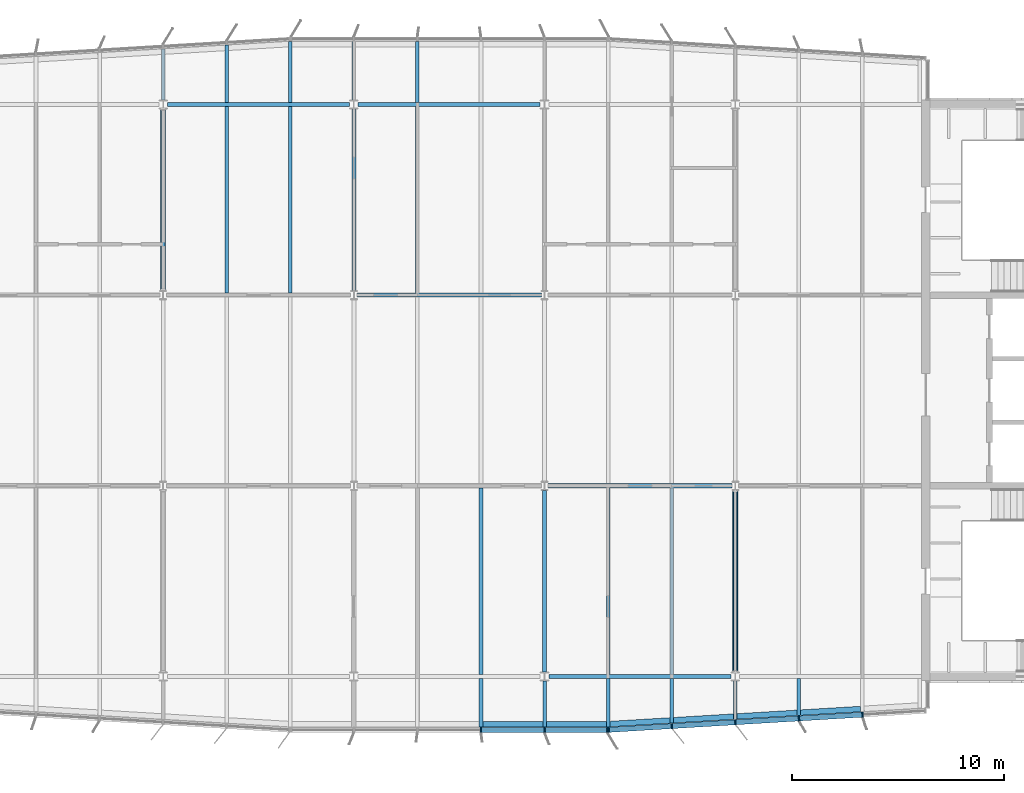
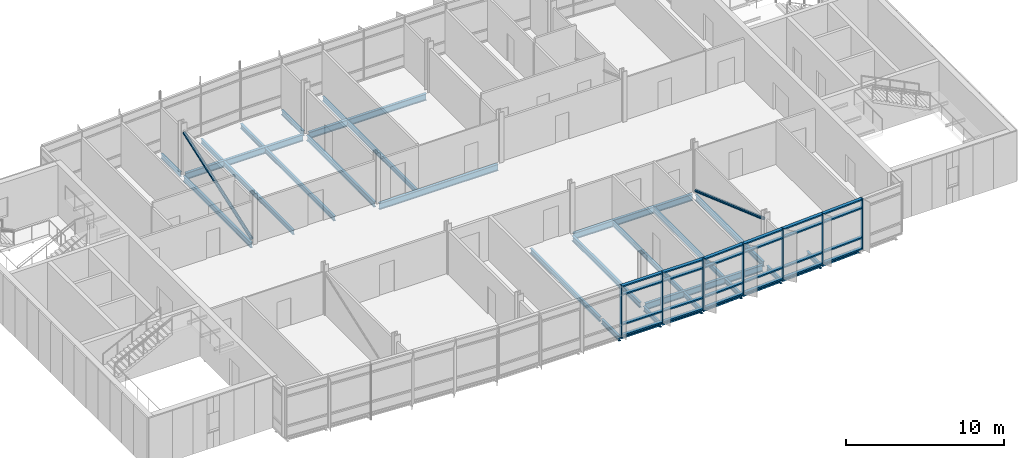
# One storey, part 5 of 18: 34 members, 32 beams, 2 elements without a shape of their own.
"""IFC4 building model written with IfcOpenShell, lengths in metres."""

import ifcopenshell
import ifcopenshell.guid

model = None  # the IFC model being written
_history = None  # IfcOwnerHistory: only IFC2X3 demands one
_inside = {}  # id of a spatial element -> (the spatial element, [elements in it])
_under = {}  # id of a project, library or spatial element -> (it, [spatial elements below it])
_declared = {}  # id of a project -> (the project, [libraries it declares])
_typed = {}  # id of a type object -> (the type object, [elements of that type])
_made_of = {}  # id of a material, layer set ... -> (it, [elements and type objects made of it])


def new_model(schema):
    """Start an empty IFC model of exactly this schema.

    Asked for "IFC4X3", IfcOpenShell would pick the latest addendum, in which some entities
    have other attributes; the version numbers below select the first issue.
    IFC2X3 requires an IfcOwnerHistory on every rooted entity: one is made here for all.
    """
    global model, _history
    if schema == "IFC4X3":
        model = ifcopenshell.file(schema_version=(4, 3, 0, 0))
    else:
        model = ifcopenshell.file(schema=schema)
    _inside.clear()
    _under.clear()
    _declared.clear()
    _typed.clear()
    _made_of.clear()
    _history = None
    if model.schema == "IFC2X3":
        org = make("IfcOrganization", Name="unknown")
        user = make(
            "IfcPersonAndOrganization",
            ThePerson=make("IfcPerson", FamilyName="unknown"),
            TheOrganization=org,
        )
        app = make(
            "IfcApplication",
            ApplicationDeveloper=org,
            Version="unknown",
            ApplicationFullName="unknown",
            ApplicationIdentifier="unknown",
        )
        _history = make(
            "IfcOwnerHistory",
            OwningUser=user,
            OwningApplication=app,
            ChangeAction="ADDED",
            CreationDate=0,
        )
    return model


def make(cls, **values):
    """One entity of the class cls with the attributes given. An attribute that is None is left unset."""
    return model.create_entity(
        cls, **{name: value for name, value in values.items() if value is not None}
    )


def rooted(cls, **values):
    """An entity with a GlobalId (a new one), such as an element, a storey or a relation."""
    return make(cls, GlobalId=ifcopenshell.guid.new(), OwnerHistory=_history, **values)


def si_unit(unit_type, name, prefix=None):
    """IfcSIUnit, for example si_unit("LENGTHUNIT", "METRE", prefix="MILLI")."""
    return make("IfcSIUnit", UnitType=unit_type, Prefix=prefix, Name=name)


def assignment(units):
    """IfcUnitAssignment: the units of a project."""
    return None if units is None else make("IfcUnitAssignment", Units=units)


def point(xyz):
    """IfcCartesianPoint."""
    return None if xyz is None else make("IfcCartesianPoint", Coordinates=xyz)


def direction(xyz):
    """IfcDirection."""
    return None if xyz is None else make("IfcDirection", DirectionRatios=xyz)


def frame(location, z_axis=None, x_axis=None):
    """IfcAxis2Placement3D, a coordinate frame: its origin and axes. An axis left out is left unset."""
    return make(
        "IfcAxis2Placement3D",
        Location=point(location),
        Axis=direction(z_axis),
        RefDirection=direction(x_axis),
    )


def frame_2d(location, x_axis=None):
    """IfcAxis2Placement2D, a coordinate frame in the plane: its origin and x axis."""
    return make(
        "IfcAxis2Placement2D", Location=point(location), RefDirection=direction(x_axis)
    )


def origin():
    """The frame at (0, 0, 0) with its axes left unset."""
    return frame((0.0, 0.0, 0.0))


def origin_2d():
    """The frame at (0, 0) in the plane with its x axis left unset."""
    return frame_2d((0.0, 0.0))


def place(relative_to, where):
    """IfcLocalPlacement: puts the frame where relative to a parent placement (None: the world)."""
    return make(
        "IfcLocalPlacement", PlacementRelTo=relative_to, RelativePlacement=where
    )


def context(
    kind, dimensions, precision=None, world=None, true_north=None, identifier=None
):
    """IfcGeometricRepresentationContext, for example the 3D "Model" context."""
    return make(
        "IfcGeometricRepresentationContext",
        ContextIdentifier=identifier,
        ContextType=kind,
        CoordinateSpaceDimension=dimensions,
        Precision=precision,
        WorldCoordinateSystem=world,
        TrueNorth=true_north,
    )


def subcontext(parent, identifier, kind, view, scale=None):
    """IfcGeometricRepresentationSubContext, for example "Body" below "Model"."""
    return make(
        "IfcGeometricRepresentationSubContext",
        ContextIdentifier=identifier,
        ContextType=kind,
        ParentContext=parent,
        TargetScale=scale,
        TargetView=view,
    )


def project(units=None, contexts=None):
    """IfcProject with its units and contexts."""
    return rooted(
        "IfcProject",
        Name="project",
        RepresentationContexts=contexts,
        UnitsInContext=assignment(units),
    )


def spatial(cls, under=None, at=None, **own):
    """A site, building, storey or space (cls), placed at a placement, below another one or the project."""
    s = rooted(cls, ObjectPlacement=at, **own)
    if under is not None:
        _under.setdefault(under.id(), (under, []))[1].append(s)
    return s


def profile(cls, at=None, kind="AREA", **sizes):
    """A parametric profile (cls). Its sizes go by their IFC names, for example OverallWidth=200.0."""
    return make(cls, ProfileType=kind, Position=at, **sizes)


def rectangle(**sizes):
    """IfcRectangleProfileDef."""
    return profile("IfcRectangleProfileDef", **sizes)


def hollow_circle(**sizes):
    """IfcCircleHollowProfileDef."""
    return profile("IfcCircleHollowProfileDef", **sizes)


def i_section(**sizes):
    """IfcIShapeProfileDef."""
    return profile("IfcIShapeProfileDef", **sizes)


def extrude(swept, where, along, depth):
    """IfcExtrudedAreaSolid: the profile swept, set in the frame where, extruded along a direction by depth."""
    return make(
        "IfcExtrudedAreaSolid",
        SweptArea=swept,
        Position=where,
        ExtrudedDirection=direction(along),
        Depth=depth,
    )


def shape(context_of_items, identifier, shape_type, items):
    """IfcShapeRepresentation: the items that make up one representation, for example the "Body"."""
    return make(
        "IfcShapeRepresentation",
        ContextOfItems=context_of_items,
        RepresentationIdentifier=identifier,
        RepresentationType=shape_type,
        Items=items,
    )


def material(Name=None, Category=None):
    """IfcMaterial."""
    return make("IfcMaterial", Name=Name, Category=Category)


def material_profile(
    of_material, cross_section, Name=None, Category=None, Priority=None
):
    """IfcMaterialProfile: a cross section and its material."""
    return make(
        "IfcMaterialProfile",
        Name=Name,
        Material=of_material,
        Profile=cross_section,
        Priority=Priority,
        Category=Category,
    )


def profile_set(profiles, Name=None, composite=None):
    """IfcMaterialProfileSet."""
    return make(
        "IfcMaterialProfileSet",
        Name=Name,
        MaterialProfiles=profiles,
        CompositeProfile=composite,
    )


def made_of(thing, what):
    """Note that an element or type object is made of a material, layer set ...; save() writes the relation."""
    if what is not None:
        _made_of.setdefault(what.id(), (what, []))[1].append(thing)
    return thing


def type_object(cls, material=None, **own):
    """A type object (cls), such as IfcWallType, which elements share."""
    return made_of(rooted(cls, **own), material)


def element(
    cls,
    number,
    at=None,
    inside=None,
    cuts=None,
    type_object=None,
    material=None,
    context=None,
    identifier="Body",
    shape_type=None,
    held_by="IfcProductDefinitionShape",
    body=None,
    shapes=None,
    **own,
):
    """One element of the class cls, such as IfcWall. Its Tag is "e" and its number.

    at: its placement. inside: the storey or other place that contains it. cuts: it is an
    opening in that element (IfcRelVoidsElement). A single representation is given by context,
    identifier, shape_type and body (its items); several are given by shapes. held_by: the class
    of the entity that holds the representations. save() writes the other relations.
    """
    e = rooted(cls, Tag="e%d" % number, ObjectPlacement=at, **own)
    if body is not None:
        shapes = [shape(context, identifier, shape_type, body)]
    if shapes is not None:
        e.Representation = make(held_by, Representations=shapes)
    if inside is not None:
        _inside.setdefault(inside.id(), (inside, []))[1].append(e)
    if cuts is not None:
        rooted(
            "IfcRelVoidsElement", RelatingBuildingElement=cuts, RelatedOpeningElement=e
        )
    if type_object is not None:
        _typed.setdefault(type_object.id(), (type_object, []))[1].append(e)
    return made_of(e, material)


def aggregate(whole, parts):
    """IfcRelAggregates: a whole, such as a stair, and the parts it consists of."""
    return rooted("IfcRelAggregates", RelatingObject=whole, RelatedObjects=parts)


def save(model, path):
    """Write the relations noted so far, then the file.

    IfcRelAggregates (storeys below a building ...), IfcRelContainedInSpatialStructure (elements
    in a storey), IfcRelDefinesByType, IfcRelAssociatesMaterial and IfcRelDeclares: one each for
    every whole, place, type object, material and project.
    """
    for whole, parts in _under.values():
        aggregate(whole, parts)
    for where, things in _inside.values():
        rooted(
            "IfcRelContainedInSpatialStructure",
            RelatedElements=things,
            RelatingStructure=where,
        )
    for kind, things in _typed.values():
        rooted("IfcRelDefinesByType", RelatedObjects=things, RelatingType=kind)
    for what, things in _made_of.values():
        rooted("IfcRelAssociatesMaterial", RelatedObjects=things, RelatingMaterial=what)
    for by, libraries in _declared.values():
        rooted("IfcRelDeclares", RelatingContext=by, RelatedDefinitions=libraries)
    model.write(path)


model = new_model("IFC4")

# Units and contexts
model_context = context("Model", 3, precision=1e-05, world=origin(), true_north=direction((0.0, 1.0)))
body_context = subcontext(model_context, "Body", "Model", "MODEL_VIEW")
ifc_project = project(units=[si_unit("LENGTHUNIT", "METRE"), si_unit("AREAUNIT", "SQUARE_METRE"), si_unit("VOLUMEUNIT", "CUBIC_METRE"), si_unit("PLANEANGLEUNIT", "RADIAN"), si_unit("MASSUNIT", "GRAM", prefix="KILO")], contexts=[model_context])

# Site, building, storey
site_placement = place(None, origin())
site = spatial("IfcSite", under=ifc_project, at=site_placement, CompositionType="ELEMENT")
building_placement = place(site_placement, origin())
building = spatial("IfcBuilding", under=site, at=building_placement, Name="Azimuth Sports and Learning Centre", CompositionType="ELEMENT")
storey_placement = place(building_placement, frame((0.0, 0.0, 63.60009765625)))
storey = spatial("IfcBuildingStorey", under=building, at=storey_placement, Name="L14", CompositionType="ELEMENT", Elevation=63.60009765625)

# Beams
ifc_material_1 = material(Name="Steel S355", Category="steel")
ifc_material_profile_1 = material_profile(ifc_material_1, i_section(OverallWidth=0.179931640625, OverallDepth=0.39990234375, WebThickness=0.008544921875, FlangeThickness=0.013427734375, FilletRadius=0.02099609375, at=origin_2d()), Name="IPE 400")
ifc_profile_set_1 = profile_set([ifc_material_profile_1], Name="Steel S355")
beam_type_1 = type_object("IfcBeamType", Name="Beam IPE 400", PredefinedType="BEAM", material=ifc_profile_set_1)
for number, where, z_axis, x_axis, name in (
    (1, (72.0, 108.216064453125, -0.330078125), (0.0, 1.0, 0.0), (-1.0, 0.0, 0.0), "Tower tie"),
    (2, (81.0, 108.216064453125, -0.330078125), (0.0, 1.0, 0.0), (-1.0, 0.0, 0.0), "Tower tie"),
    (3, (90.0, 90.217529296875, -0.330078125), (0.0, 1.0, 0.0), (-1.0, 0.0, 0.0), "Tower tie"),
    (4, (99.0, 90.217529296875, -0.330078125), (0.0, 1.0, 0.0), (-1.0, 0.0, 0.0), "Tower tie"),
):
    element("IfcBeam", number, at=place(storey_placement, frame(where, z_axis=z_axis, x_axis=x_axis)), inside=storey, type_object=beam_type_1, Name=name, PredefinedType="BEAM", context=body_context, shape_type="SweptSolid", body=[
        extrude(i_section(OverallWidth=0.179931640625, OverallDepth=0.39990234375, WebThickness=0.008544921875, FlangeThickness=0.013427734375, FilletRadius=0.02099609375, at=origin_2d()), origin(), (0.0, 0.0, 1.0), 8.56640625),
    ])
ifc_material_2 = material(Name="Steel S355", Category="steel")
ifc_material_profile_2 = material_profile(ifc_material_2, i_section(OverallWidth=0.199951171875, OverallDepth=0.5, WebThickness=0.01025390625, FlangeThickness=0.01611328125, FilletRadius=0.02099609375, at=origin_2d()), Name="IPE 500")
ifc_profile_set_2 = profile_set([ifc_material_profile_2], Name="Steel S355")
beam_type_2 = type_object("IfcBeamType", Name="Beam IPE 500", PredefinedType="BEAM", material=ifc_profile_set_2)
beam_1_placement = place(storey_placement, frame((90.2060546875, 90.0, -0.380126953125), z_axis=(1.0, 0.0, 0.0), x_axis=(0.0, 1.0, 0.0)))
element("IfcBeam", 5, at=beam_1_placement, inside=storey, type_object=beam_type_2, Name="Tower girder L14", PredefinedType="BEAM", context=body_context, shape_type="SweptSolid", body=[
    extrude(i_section(OverallWidth=0.199951171875, OverallDepth=0.5, WebThickness=0.01025390625, FlangeThickness=0.01611328125, FilletRadius=0.02099609375, at=origin_2d()), origin(), (0.0, 0.0, 1.0), 8.587890625),
])
for number, where, z_axis, x_axis, name in (
    (6, (90.153564453125, 99.0, -0.380126953125), (1.0, 0.0, 0.0), (0.0, 1.0, 0.0), "Tower girder L14"),
    (7, (81.153564453125, 108.0, -0.380126953125), (1.0, 0.0, 0.0), (0.0, 1.0, 0.0), "Tower girder L14"),
):
    element("IfcBeam", number, at=place(storey_placement, frame(where, z_axis=z_axis, x_axis=x_axis)), inside=storey, type_object=beam_type_2, Name=name, PredefinedType="BEAM", context=body_context, shape_type="SweptSolid", body=[
        extrude(i_section(OverallWidth=0.199951171875, OverallDepth=0.5, WebThickness=0.01025390625, FlangeThickness=0.01611328125, FilletRadius=0.02099609375, at=origin_2d()), origin(), (0.0, 0.0, 1.0), 8.69287109375),
    ])
for number, where, z_axis, x_axis, name in (
    (8, (72.2060546875, 117.0, -0.380126953125), (1.0, 0.0, 0.0), (0.0, 1.0, 0.0), "Tower girder L14"),
    (9, (81.2060546875, 117.0, -0.380126953125), (1.0, 0.0, 0.0), (0.0, 1.0, 0.0), "Tower girder L14"),
):
    element("IfcBeam", number, at=place(storey_placement, frame(where, z_axis=z_axis, x_axis=x_axis)), inside=storey, type_object=beam_type_2, Name=name, PredefinedType="BEAM", context=body_context, shape_type="SweptSolid", body=[
        extrude(i_section(OverallWidth=0.199951171875, OverallDepth=0.5, WebThickness=0.01025390625, FlangeThickness=0.01611328125, FilletRadius=0.02099609375, at=origin_2d()), origin(), (0.0, 0.0, 1.0), 8.587890625),
    ])

# Members
ifc_material_3 = material(Name="Steel S355", Category="steel")
ifc_material_profile_3 = material_profile(ifc_material_3, hollow_circle(Radius=0.122314453125, WallThickness=0.012451171875, at=origin_2d()), Name="CHS 244.5x12.5")
ifc_profile_set_3 = profile_set([ifc_material_profile_3], Name="Steel S355")
member_type_1 = type_object("IfcMemberType", Name="Brace CHS 244.5x12.5", PredefinedType="BRACE", material=ifc_profile_set_3)
for number, where, z_axis, x_axis, name in (
    (10, (72.0, 108.237060546875, 0.169677734375), (0.0, 0.942228129068, 0.33497186866), (-1.0, 0.0, 0.0), "Tower brace 9 L14"),
    (11, (99.0, 90.238525390625, 3.2001953125), (0.0, 0.942228129068, -0.33497186866), (-1.0, 0.0, 0.0), "Tower brace 12 L14"),
):
    element("IfcMember", number, at=place(storey_placement, frame(where, z_axis=z_axis, x_axis=x_axis)), inside=storey, type_object=member_type_1, Name=name, PredefinedType="BRACE", context=body_context, shape_type="SweptSolid", body=[
        extrude(hollow_circle(Radius=0.122314453125, WallThickness=0.012451171875, at=origin_2d()), origin(), (0.0, 0.0, 1.0), 9.047119140625),
    ])

# Beams
ifc_material_4 = material(Name="Steel S355", Category="steel")
ifc_material_profile_4 = material_profile(ifc_material_4, i_section(OverallWidth=0.169921875, OverallDepth=0.360107421875, WebThickness=0.008056640625, FlangeThickness=0.0126953125, FilletRadius=0.01806640625, at=origin_2d()), Name="IPE 360")
ifc_profile_set_4 = profile_set([ifc_material_profile_4], Name="Steel S355")
beam_type_3 = type_object("IfcBeamType", Name="Cantilever stub IPE 360", PredefinedType="JOIST", material=ifc_profile_set_4)
beam_2_placement = place(storey_placement, frame((87.0, 89.89990234375, -0.31005859375), z_axis=(0.0, -1.0, 0.0), x_axis=(1.0, 0.0, 0.0)))
element("IfcBeam", 12, at=beam_2_placement, inside=storey, type_object=beam_type_3, Name="Tower cantilever stub", PredefinedType="JOIST", context=body_context, shape_type="SweptSolid", body=[
    extrude(i_section(OverallWidth=0.169921875, OverallDepth=0.360107421875, WebThickness=0.008056640625, FlangeThickness=0.0126953125, FilletRadius=0.01806640625, at=origin_2d()), origin(), (0.0, 0.0, 1.0), 2.27978515625),
])
beam_3_placement = place(storey_placement, frame((90.0, 89.782470703125, -0.31005859375), z_axis=(0.0, -1.0, 0.0), x_axis=(1.0, 0.0, 0.0)))
element("IfcBeam", 13, at=beam_3_placement, inside=storey, type_object=beam_type_3, Name="Tower cantilever stub", PredefinedType="JOIST", context=body_context, shape_type="SweptSolid", body=[
    extrude(i_section(OverallWidth=0.169921875, OverallDepth=0.360107421875, WebThickness=0.008056640625, FlangeThickness=0.0126953125, FilletRadius=0.01806640625, at=origin_2d()), origin(), (0.0, 0.0, 1.0), 2.162353515625),
])
beam_4_placement = place(storey_placement, frame((93.0, 89.89990234375, -0.31005859375), z_axis=(0.0, -1.0, 0.0), x_axis=(1.0, 0.0, 0.0)))
element("IfcBeam", 14, at=beam_4_placement, inside=storey, type_object=beam_type_3, Name="Tower cantilever stub", PredefinedType="JOIST", context=body_context, shape_type="SweptSolid", body=[
    extrude(i_section(OverallWidth=0.169921875, OverallDepth=0.360107421875, WebThickness=0.008056640625, FlangeThickness=0.0126953125, FilletRadius=0.01806640625, at=origin_2d()), origin(), (0.0, 0.0, 1.0), 2.27978515625),
])
beam_5_placement = place(storey_placement, frame((96.0, 89.89990234375, -0.31005859375), z_axis=(0.0, -1.0, 0.0), x_axis=(1.0, 0.0, 0.0)))
element("IfcBeam", 15, at=beam_5_placement, inside=storey, type_object=beam_type_3, Name="Tower cantilever stub", PredefinedType="JOIST", context=body_context, shape_type="SweptSolid", body=[
    extrude(i_section(OverallWidth=0.169921875, OverallDepth=0.360107421875, WebThickness=0.008056640625, FlangeThickness=0.0126953125, FilletRadius=0.01806640625, at=origin_2d()), origin(), (0.0, 0.0, 1.0), 2.099853515625),
])
beam_6_placement = place(storey_placement, frame((99.0, 89.782470703125, -0.31005859375), z_axis=(0.0, -1.0, 0.0), x_axis=(1.0, 0.0, 0.0)))
element("IfcBeam", 16, at=beam_6_placement, inside=storey, type_object=beam_type_3, Name="Tower cantilever stub", PredefinedType="JOIST", context=body_context, shape_type="SweptSolid", body=[
    extrude(i_section(OverallWidth=0.169921875, OverallDepth=0.360107421875, WebThickness=0.008056640625, FlangeThickness=0.0126953125, FilletRadius=0.01806640625, at=origin_2d()), origin(), (0.0, 0.0, 1.0), 1.802490234375),
])
beam_7_placement = place(storey_placement, frame((102.0, 89.89990234375, -0.31005859375), z_axis=(0.0, -1.0, 0.0), x_axis=(1.0, 0.0, 0.0)))
element("IfcBeam", 17, at=beam_7_placement, inside=storey, type_object=beam_type_3, Name="Tower cantilever stub", PredefinedType="JOIST", context=body_context, shape_type="SweptSolid", body=[
    extrude(i_section(OverallWidth=0.169921875, OverallDepth=0.360107421875, WebThickness=0.008056640625, FlangeThickness=0.0126953125, FilletRadius=0.01806640625, at=origin_2d()), origin(), (0.0, 0.0, 1.0), 1.739990234375),
])
beam_8_placement = place(storey_placement, frame((72.0, 117.217529296875, -0.31005859375), z_axis=(0.0, 1.0, 0.0), x_axis=(-1.0, 0.0, 0.0)))
element("IfcBeam", 18, at=beam_8_placement, inside=storey, type_object=beam_type_3, Name="Tower cantilever stub", PredefinedType="JOIST", context=body_context, shape_type="SweptSolid", body=[
    extrude(i_section(OverallWidth=0.169921875, OverallDepth=0.360107421875, WebThickness=0.008056640625, FlangeThickness=0.0126953125, FilletRadius=0.01806640625, at=origin_2d()), origin(), (0.0, 0.0, 1.0), 2.402587890625),
])
beam_9_placement = place(storey_placement, frame((75.0, 117.10009765625, -0.31005859375), z_axis=(0.0, 1.0, 0.0), x_axis=(-1.0, 0.0, 0.0)))
element("IfcBeam", 19, at=beam_9_placement, inside=storey, type_object=beam_type_3, Name="Tower cantilever stub", PredefinedType="JOIST", context=body_context, shape_type="SweptSolid", body=[
    extrude(i_section(OverallWidth=0.169921875, OverallDepth=0.360107421875, WebThickness=0.008056640625, FlangeThickness=0.0126953125, FilletRadius=0.01806640625, at=origin_2d()), origin(), (0.0, 0.0, 1.0), 2.699951171875),
])
beam_10_placement = place(storey_placement, frame((78.0, 117.10009765625, -0.31005859375), z_axis=(0.0, 1.0, 0.0), x_axis=(-1.0, 0.0, 0.0)))
element("IfcBeam", 20, at=beam_10_placement, inside=storey, type_object=beam_type_3, Name="Tower cantilever stub", PredefinedType="JOIST", context=body_context, shape_type="SweptSolid", body=[
    extrude(i_section(OverallWidth=0.169921875, OverallDepth=0.360107421875, WebThickness=0.008056640625, FlangeThickness=0.0126953125, FilletRadius=0.01806640625, at=origin_2d()), origin(), (0.0, 0.0, 1.0), 2.8798828125),
])
beam_11_placement = place(storey_placement, frame((81.0, 117.217529296875, -0.31005859375), z_axis=(0.0, 1.0, 0.0), x_axis=(-1.0, 0.0, 0.0)))
element("IfcBeam", 21, at=beam_11_placement, inside=storey, type_object=beam_type_3, Name="Tower cantilever stub", PredefinedType="JOIST", context=body_context, shape_type="SweptSolid", body=[
    extrude(i_section(OverallWidth=0.169921875, OverallDepth=0.360107421875, WebThickness=0.008056640625, FlangeThickness=0.0126953125, FilletRadius=0.01806640625, at=origin_2d()), origin(), (0.0, 0.0, 1.0), 2.762451171875),
])
beam_12_placement = place(storey_placement, frame((84.0, 117.10009765625, -0.31005859375), z_axis=(0.0, 1.0, 0.0), x_axis=(-1.0, 0.0, 0.0)))
element("IfcBeam", 22, at=beam_12_placement, inside=storey, type_object=beam_type_3, Name="Tower cantilever stub", PredefinedType="JOIST", context=body_context, shape_type="SweptSolid", body=[
    extrude(i_section(OverallWidth=0.169921875, OverallDepth=0.360107421875, WebThickness=0.008056640625, FlangeThickness=0.0126953125, FilletRadius=0.01806640625, at=origin_2d()), origin(), (0.0, 0.0, 1.0), 2.8798828125),
])
ifc_material_5 = material(Name="Steel S355", Category="steel")
ifc_material_profile_5 = material_profile(ifc_material_5, i_section(OverallWidth=0.260009765625, OverallDepth=0.25, WebThickness=0.007568359375, FlangeThickness=0.012451171875, FilletRadius=0.02392578125, at=origin_2d()), Name="HEA 260")
ifc_profile_set_5 = profile_set([ifc_material_profile_5], Name="Steel S355")
beam_type_4 = type_object("IfcBeamType", Name="Edge beam HEA 260", PredefinedType="SPANDREL", material=ifc_profile_set_5)
for number, where, z_axis, x_axis, name in (
    (23, (87.0849609375, 87.75, -0.255126953125), (1.0, 0.0, 0.0), (0.0, 1.0, 0.0), "Tower edge beam"),
    (24, (90.0849609375, 87.75, -0.255126953125), (1.0, 0.0, 0.0), (0.0, 1.0, 0.0), "Tower edge beam"),
):
    element("IfcBeam", number, at=place(storey_placement, frame(where, z_axis=z_axis, x_axis=x_axis)), inside=storey, type_object=beam_type_4, Name=name, PredefinedType="SPANDREL", context=body_context, shape_type="SweptSolid", body=[
        extrude(i_section(OverallWidth=0.260009765625, OverallDepth=0.25, WebThickness=0.007568359375, FlangeThickness=0.012451171875, FilletRadius=0.02392578125, at=origin_2d()), origin(), (0.0, 0.0, 1.0), 2.830078125),
    ])
for number, where, z_axis, x_axis, name in (
    (25, (93.0849609375, 87.755126953125, -0.255126953125), (0.998207521518, 0.059847673176, 0.0), (-0.059847673176, 0.998207521518, 0.0), "Tower edge beam"),
    (26, (96.0849609375, 87.93505859375, -0.255126953125), (0.998202373506, 0.059933475842, 0.0), (-0.059933475842, 0.998202373506, 0.0), "Tower edge beam"),
    (27, (99.0849609375, 88.114990234375, -0.255126953125), (0.998202373506, 0.059933475842, 0.0), (-0.059933475842, 0.998202373506, 0.0), "Tower edge beam"),
    (28, (102.0849609375, 88.295166015625, -0.255126953125), (0.998207521518, 0.059847673176, 0.0), (-0.059847673176, 0.998207521518, 0.0), "Tower edge beam"),
):
    element("IfcBeam", number, at=place(storey_placement, frame(where, z_axis=z_axis, x_axis=x_axis)), inside=storey, type_object=beam_type_4, Name=name, PredefinedType="SPANDREL", context=body_context, shape_type="SweptSolid", body=[
        extrude(i_section(OverallWidth=0.260009765625, OverallDepth=0.25, WebThickness=0.007568359375, FlangeThickness=0.012451171875, FilletRadius=0.02392578125, at=origin_2d()), origin(), (0.0, 0.0, 1.0), 2.835205078125),
    ])
ifc_material_6 = material(Name="Steel S355", Category="steel")
ifc_material_profile_6 = material_profile(ifc_material_6, i_section(OverallWidth=0.169921875, OverallDepth=0.360107421875, WebThickness=0.008056640625, FlangeThickness=0.0126953125, FilletRadius=0.01806640625, at=origin_2d()), Name="IPE 360")
ifc_profile_set_6 = profile_set([ifc_material_profile_6], Name="Steel S355")
beam_type_5 = type_object("IfcBeamType", Name="Joist IPE 360", PredefinedType="JOIST", material=ifc_profile_set_6)
for number, where, z_axis, x_axis, name in (
    (29, (75.0, 108.10009765625, -0.31005859375), (0.0, 1.0, 0.0), (-1.0, 0.0, 0.0), "Tower joist"),
    (30, (78.0, 108.10009765625, -0.31005859375), (0.0, 1.0, 0.0), (-1.0, 0.0, 0.0), "Tower joist"),
    (31, (84.0, 108.10009765625, -0.31005859375), (0.0, 1.0, 0.0), (-1.0, 0.0, 0.0), "Tower joist"),
    (32, (87.0, 90.10009765625, -0.31005859375), (0.0, 1.0, 0.0), (-1.0, 0.0, 0.0), "Tower joist"),
    (33, (93.0, 90.10009765625, -0.31005859375), (0.0, 1.0, 0.0), (-1.0, 0.0, 0.0), "Tower joist"),
    (34, (96.0, 90.10009765625, -0.31005859375), (0.0, 1.0, 0.0), (-1.0, 0.0, 0.0), "Tower joist"),
):
    element("IfcBeam", number, at=place(storey_placement, frame(where, z_axis=z_axis, x_axis=x_axis)), inside=storey, type_object=beam_type_5, Name=name, PredefinedType="JOIST", context=body_context, shape_type="SweptSolid", body=[
        extrude(i_section(OverallWidth=0.169921875, OverallDepth=0.360107421875, WebThickness=0.008056640625, FlangeThickness=0.0126953125, FilletRadius=0.01806640625, at=origin_2d()), origin(), (0.0, 0.0, 1.0), 8.7998046875),
    ])

# Curtain wall, members
ifc_material_7 = material(Name="Aluminium and glass", Category="aluminium")
curtain_wall_type = type_object("IfcCurtainWallType", Name="Curtain wall tower south 240", PredefinedType="NOTDEFINED", material=ifc_material_7)
curtain_wall_1_placement = place(storey_placement, origin())
curtain_wall_1 = element("IfcCurtainWall", 35, at=curtain_wall_1_placement, inside=storey, type_object=curtain_wall_type, Name="Curtain wall CW14-003", PredefinedType="NOTDEFINED")
ifc_material_8 = material(Name="Aluminium", Category="aluminium")
ifc_material_profile_7 = material_profile(ifc_material_8, rectangle(XDim=0.239990234375, YDim=0.070068359375, at=origin_2d()), Name="Mullion 70x240")
ifc_profile_set_7 = profile_set([ifc_material_profile_7], Name="Aluminium")
member_type_2 = type_object("IfcMemberType", Name="Mullion 70x240", PredefinedType="MULLION", material=ifc_profile_set_7)
member_1_placement = place(storey_placement, frame((87.0, 87.47998046875, 0.0), z_axis=(0.0, 0.0, 1.0), x_axis=(0.0, 1.0, 0.0)))
member_1 = element("IfcMember", 36, at=member_1_placement, type_object=member_type_2, Name="CW14-003 mullion 4", PredefinedType="MULLION", context=body_context, shape_type="SweptSolid", body=[
    extrude(rectangle(XDim=0.239990234375, YDim=0.070068359375, at=origin_2d()), origin(), (0.0, 0.0, 1.0), 3.89990234375),
])
member_2_placement = place(storey_placement, frame((90.0, 87.47998046875, 0.0), z_axis=(0.0, 0.0, 1.0), x_axis=(0.0, 1.0, 0.0)))
member_2 = element("IfcMember", 37, at=member_2_placement, type_object=member_type_2, Name="CW14-003 mullion 5", PredefinedType="MULLION", context=body_context, shape_type="SweptSolid", body=[
    extrude(rectangle(XDim=0.239990234375, YDim=0.070068359375, at=origin_2d()), origin(), (0.0, 0.0, 1.0), 3.89990234375),
])
member_3_placement = place(storey_placement, frame((92.965087890625, 87.47998046875, 0.0), z_axis=(0.0, 0.0, 1.0), x_axis=(0.0, 1.0, 0.0)))
member_3 = element("IfcMember", 38, at=member_3_placement, type_object=member_type_2, Name="CW14-003 mullion 6", PredefinedType="MULLION", context=body_context, shape_type="SweptSolid", body=[
    extrude(rectangle(XDim=0.239990234375, YDim=0.070068359375, at=origin_2d()), origin(), (0.0, 0.0, 1.0), 3.89990234375),
])

curtain_wall_2_placement = place(storey_placement, origin())
curtain_wall_2 = element("IfcCurtainWall", 39, at=curtain_wall_2_placement, inside=storey, type_object=curtain_wall_type, Name="Curtain wall CW14-004", PredefinedType="NOTDEFINED")
member_4_placement = place(storey_placement, frame((93.034912109375, 87.48193359375, 0.0), z_axis=(0.0, 0.0, 1.0), x_axis=(-0.059891991812, 0.998204863401, 0.0)))
member_4 = element("IfcMember", 40, at=member_4_placement, type_object=member_type_2, Name="CW14-004 mullion 1", PredefinedType="MULLION", context=body_context, shape_type="SweptSolid", body=[
    extrude(rectangle(XDim=0.239990234375, YDim=0.070068359375, at=origin_2d()), origin(), (0.0, 0.0, 1.0), 3.89990234375),
])
member_5_placement = place(storey_placement, frame((96.007080078125, 87.66015625, 0.0), z_axis=(0.0, 0.0, 1.0), x_axis=(-0.059891991812, 0.998204863401, 0.0)))
member_5 = element("IfcMember", 41, at=member_5_placement, type_object=member_type_2, Name="CW14-004 mullion 2", PredefinedType="MULLION", context=body_context, shape_type="SweptSolid", body=[
    extrude(rectangle(XDim=0.239990234375, YDim=0.070068359375, at=origin_2d()), origin(), (0.0, 0.0, 1.0), 3.89990234375),
])
member_6_placement = place(storey_placement, frame((99.007080078125, 87.84033203125, 0.0), z_axis=(0.0, 0.0, 1.0), x_axis=(-0.059891991812, 0.998204863401, 0.0)))
member_6 = element("IfcMember", 42, at=member_6_placement, type_object=member_type_2, Name="CW14-004 mullion 3", PredefinedType="MULLION", context=body_context, shape_type="SweptSolid", body=[
    extrude(rectangle(XDim=0.239990234375, YDim=0.070068359375, at=origin_2d()), origin(), (0.0, 0.0, 1.0), 3.89990234375),
])
member_7_placement = place(storey_placement, frame((102.007080078125, 88.020263671875, 0.0), z_axis=(0.0, 0.0, 1.0), x_axis=(-0.059891991812, 0.998204863401, 0.0)))
member_7 = element("IfcMember", 43, at=member_7_placement, type_object=member_type_2, Name="CW14-004 mullion 4", PredefinedType="MULLION", context=body_context, shape_type="SweptSolid", body=[
    extrude(rectangle(XDim=0.239990234375, YDim=0.070068359375, at=origin_2d()), origin(), (0.0, 0.0, 1.0), 3.89990234375),
])
member_8_placement = place(storey_placement, frame((105.007080078125, 88.2001953125, 0.0), z_axis=(0.0, 0.0, 1.0), x_axis=(-0.059891991812, 0.998204863401, 0.0)))
member_8 = element("IfcMember", 44, at=member_8_placement, type_object=member_type_2, Name="CW14-004 mullion 5", PredefinedType="MULLION", context=body_context, shape_type="SweptSolid", body=[
    extrude(rectangle(XDim=0.239990234375, YDim=0.070068359375, at=origin_2d()), origin(), (0.0, 0.0, 1.0), 3.89990234375),
])

# Member
ifc_material_9 = material(Name="Aluminium", Category="aluminium")
ifc_material_profile_8 = material_profile(ifc_material_9, rectangle(XDim=0.239990234375, YDim=0.10009765625, at=origin_2d()), Name="Transom 100x240")
ifc_profile_set_8 = profile_set([ifc_material_profile_8], Name="Aluminium")
member_type_3 = type_object("IfcMemberType", Name="Transom 100x240", PredefinedType="USERDEFINED", material=ifc_profile_set_8)
member_9_placement = place(storey_placement, frame((87.034912109375, 87.47998046875, 0.0498046875), z_axis=(1.0, 0.0, 0.0), x_axis=(0.0, 1.0, 0.0)))
member_9 = element("IfcMember", 45, at=member_9_placement, type_object=member_type_3, Name="CW14-003 transom 4.1", ObjectType="TRANSOM", PredefinedType="USERDEFINED", context=body_context, shape_type="SweptSolid", body=[
    extrude(rectangle(XDim=0.239990234375, YDim=0.10009765625, at=origin_2d()), origin(), (0.0, 0.0, 1.0), 2.93017578125),
])

member_10_placement = place(storey_placement, frame((87.034912109375, 87.47998046875, 0.89990234375), z_axis=(1.0, 0.0, 0.0), x_axis=(0.0, 1.0, 0.0)))
member_10 = element("IfcMember", 46, at=member_10_placement, type_object=member_type_3, Name="CW14-003 transom 4.2", ObjectType="TRANSOM", PredefinedType="USERDEFINED", context=body_context, shape_type="SweptSolid", body=[
    extrude(rectangle(XDim=0.239990234375, YDim=0.10009765625, at=origin_2d()), origin(), (0.0, 0.0, 1.0), 2.93017578125),
])

member_11_placement = place(storey_placement, frame((87.034912109375, 87.47998046875, 3.199951171875), z_axis=(1.0, 0.0, 0.0), x_axis=(0.0, 1.0, 0.0)))
member_11 = element("IfcMember", 47, at=member_11_placement, type_object=member_type_3, Name="CW14-003 transom 4.3", ObjectType="TRANSOM", PredefinedType="USERDEFINED", context=body_context, shape_type="SweptSolid", body=[
    extrude(rectangle(XDim=0.239990234375, YDim=0.10009765625, at=origin_2d()), origin(), (0.0, 0.0, 1.0), 2.93017578125),
])

member_12_placement = place(storey_placement, frame((87.034912109375, 87.47998046875, 3.849853515625), z_axis=(1.0, 0.0, 0.0), x_axis=(0.0, 1.0, 0.0)))
member_12 = element("IfcMember", 48, at=member_12_placement, type_object=member_type_3, Name="CW14-003 transom 4.4", ObjectType="TRANSOM", PredefinedType="USERDEFINED", context=body_context, shape_type="SweptSolid", body=[
    extrude(rectangle(XDim=0.239990234375, YDim=0.10009765625, at=origin_2d()), origin(), (0.0, 0.0, 1.0), 2.93017578125),
])

member_13_placement = place(storey_placement, frame((90.034912109375, 87.47998046875, 0.0498046875), z_axis=(1.0, 0.0, 0.0), x_axis=(0.0, 1.0, 0.0)))
member_13 = element("IfcMember", 49, at=member_13_placement, type_object=member_type_3, Name="CW14-003 transom 5.1", ObjectType="TRANSOM", PredefinedType="USERDEFINED", context=body_context, shape_type="SweptSolid", body=[
    extrude(rectangle(XDim=0.239990234375, YDim=0.10009765625, at=origin_2d()), origin(), (0.0, 0.0, 1.0), 2.89501953125),
])

member_14_placement = place(storey_placement, frame((90.034912109375, 87.47998046875, 0.89990234375), z_axis=(1.0, 0.0, 0.0), x_axis=(0.0, 1.0, 0.0)))
member_14 = element("IfcMember", 50, at=member_14_placement, type_object=member_type_3, Name="CW14-003 transom 5.2", ObjectType="TRANSOM", PredefinedType="USERDEFINED", context=body_context, shape_type="SweptSolid", body=[
    extrude(rectangle(XDim=0.239990234375, YDim=0.10009765625, at=origin_2d()), origin(), (0.0, 0.0, 1.0), 2.89501953125),
])

member_15_placement = place(storey_placement, frame((90.034912109375, 87.47998046875, 3.199951171875), z_axis=(1.0, 0.0, 0.0), x_axis=(0.0, 1.0, 0.0)))
member_15 = element("IfcMember", 51, at=member_15_placement, type_object=member_type_3, Name="CW14-003 transom 5.3", ObjectType="TRANSOM", PredefinedType="USERDEFINED", context=body_context, shape_type="SweptSolid", body=[
    extrude(rectangle(XDim=0.239990234375, YDim=0.10009765625, at=origin_2d()), origin(), (0.0, 0.0, 1.0), 2.89501953125),
])

member_16_placement = place(storey_placement, frame((90.034912109375, 87.47998046875, 3.849853515625), z_axis=(1.0, 0.0, 0.0), x_axis=(0.0, 1.0, 0.0)))
member_16 = element("IfcMember", 52, at=member_16_placement, type_object=member_type_3, Name="CW14-003 transom 5.4", ObjectType="TRANSOM", PredefinedType="USERDEFINED", context=body_context, shape_type="SweptSolid", body=[
    extrude(rectangle(XDim=0.239990234375, YDim=0.10009765625, at=origin_2d()), origin(), (0.0, 0.0, 1.0), 2.89501953125),
])

aggregate(curtain_wall_1, [member_1, member_2, member_3, member_9, member_10, member_11, member_12, member_13, member_14, member_15, member_16])

member_17_placement = place(storey_placement, frame((93.06982421875, 87.48388671875, 0.0498046875), z_axis=(0.99820122928, 0.05995253009, 0.0), x_axis=(-0.05995253009, 0.99820122928, 0.0)))
member_17 = element("IfcMember", 53, at=member_17_placement, type_object=member_type_3, Name="CW14-004 transom 1.1", ObjectType="TRANSOM", PredefinedType="USERDEFINED", context=body_context, shape_type="SweptSolid", body=[
    extrude(rectangle(XDim=0.239990234375, YDim=0.10009765625, at=origin_2d()), origin(), (0.0, 0.0, 1.0), 2.907470703125),
])

member_18_placement = place(storey_placement, frame((93.06982421875, 87.48388671875, 0.89990234375), z_axis=(0.99820122928, 0.05995253009, 0.0), x_axis=(-0.05995253009, 0.99820122928, 0.0)))
member_18 = element("IfcMember", 54, at=member_18_placement, type_object=member_type_3, Name="CW14-004 transom 1.2", ObjectType="TRANSOM", PredefinedType="USERDEFINED", context=body_context, shape_type="SweptSolid", body=[
    extrude(rectangle(XDim=0.239990234375, YDim=0.10009765625, at=origin_2d()), origin(), (0.0, 0.0, 1.0), 2.907470703125),
])

member_19_placement = place(storey_placement, frame((93.06982421875, 87.48388671875, 3.199951171875), z_axis=(0.99820122928, 0.05995253009, 0.0), x_axis=(-0.05995253009, 0.99820122928, 0.0)))
member_19 = element("IfcMember", 55, at=member_19_placement, type_object=member_type_3, Name="CW14-004 transom 1.3", ObjectType="TRANSOM", PredefinedType="USERDEFINED", context=body_context, shape_type="SweptSolid", body=[
    extrude(rectangle(XDim=0.239990234375, YDim=0.10009765625, at=origin_2d()), origin(), (0.0, 0.0, 1.0), 2.907470703125),
])

member_20_placement = place(storey_placement, frame((93.06982421875, 87.48388671875, 3.849853515625), z_axis=(0.99820122928, 0.05995253009, 0.0), x_axis=(-0.05995253009, 0.99820122928, 0.0)))
member_20 = element("IfcMember", 56, at=member_20_placement, type_object=member_type_3, Name="CW14-004 transom 1.4", ObjectType="TRANSOM", PredefinedType="USERDEFINED", context=body_context, shape_type="SweptSolid", body=[
    extrude(rectangle(XDim=0.239990234375, YDim=0.10009765625, at=origin_2d()), origin(), (0.0, 0.0, 1.0), 2.907470703125),
])

member_21_placement = place(storey_placement, frame((96.042236328125, 87.662353515625, 0.0498046875), z_axis=(0.998205143816, 0.059887318019, 0.0), x_axis=(-0.059887318019, 0.998205143816, 0.0)))
member_21 = element("IfcMember", 57, at=member_21_placement, type_object=member_type_3, Name="CW14-004 transom 2.1", ObjectType="TRANSOM", PredefinedType="USERDEFINED", context=body_context, shape_type="SweptSolid", body=[
    extrude(rectangle(XDim=0.239990234375, YDim=0.10009765625, at=origin_2d()), origin(), (0.0, 0.0, 1.0), 2.935302734375),
])

member_22_placement = place(storey_placement, frame((96.042236328125, 87.662353515625, 0.89990234375), z_axis=(0.998205143816, 0.059887318019, 0.0), x_axis=(-0.059887318019, 0.998205143816, 0.0)))
member_22 = element("IfcMember", 58, at=member_22_placement, type_object=member_type_3, Name="CW14-004 transom 2.2", ObjectType="TRANSOM", PredefinedType="USERDEFINED", context=body_context, shape_type="SweptSolid", body=[
    extrude(rectangle(XDim=0.239990234375, YDim=0.10009765625, at=origin_2d()), origin(), (0.0, 0.0, 1.0), 2.935302734375),
])

member_23_placement = place(storey_placement, frame((96.042236328125, 87.662353515625, 3.199951171875), z_axis=(0.998205143816, 0.059887318019, 0.0), x_axis=(-0.059887318019, 0.998205143816, 0.0)))
member_23 = element("IfcMember", 59, at=member_23_placement, type_object=member_type_3, Name="CW14-004 transom 2.3", ObjectType="TRANSOM", PredefinedType="USERDEFINED", context=body_context, shape_type="SweptSolid", body=[
    extrude(rectangle(XDim=0.239990234375, YDim=0.10009765625, at=origin_2d()), origin(), (0.0, 0.0, 1.0), 2.935302734375),
])

member_24_placement = place(storey_placement, frame((96.042236328125, 87.662353515625, 3.849853515625), z_axis=(0.998205143816, 0.059887318019, 0.0), x_axis=(-0.059887318019, 0.998205143816, 0.0)))
member_24 = element("IfcMember", 60, at=member_24_placement, type_object=member_type_3, Name="CW14-004 transom 2.4", ObjectType="TRANSOM", PredefinedType="USERDEFINED", context=body_context, shape_type="SweptSolid", body=[
    extrude(rectangle(XDim=0.239990234375, YDim=0.10009765625, at=origin_2d()), origin(), (0.0, 0.0, 1.0), 2.935302734375),
])

member_25_placement = place(storey_placement, frame((99.042236328125, 87.84228515625, 0.0498046875), z_axis=(0.998205143816, 0.059887318019, 0.0), x_axis=(-0.059887318019, 0.998205143816, 0.0)))
member_25 = element("IfcMember", 61, at=member_25_placement, type_object=member_type_3, Name="CW14-004 transom 3.1", ObjectType="TRANSOM", PredefinedType="USERDEFINED", context=body_context, shape_type="SweptSolid", body=[
    extrude(rectangle(XDim=0.239990234375, YDim=0.10009765625, at=origin_2d()), origin(), (0.0, 0.0, 1.0), 2.935302734375),
])

member_26_placement = place(storey_placement, frame((99.042236328125, 87.84228515625, 0.89990234375), z_axis=(0.998205143816, 0.059887318019, 0.0), x_axis=(-0.059887318019, 0.998205143816, 0.0)))
member_26 = element("IfcMember", 62, at=member_26_placement, type_object=member_type_3, Name="CW14-004 transom 3.2", ObjectType="TRANSOM", PredefinedType="USERDEFINED", context=body_context, shape_type="SweptSolid", body=[
    extrude(rectangle(XDim=0.239990234375, YDim=0.10009765625, at=origin_2d()), origin(), (0.0, 0.0, 1.0), 2.935302734375),
])

member_27_placement = place(storey_placement, frame((99.042236328125, 87.84228515625, 3.199951171875), z_axis=(0.998205143816, 0.059887318019, 0.0), x_axis=(-0.059887318019, 0.998205143816, 0.0)))
member_27 = element("IfcMember", 63, at=member_27_placement, type_object=member_type_3, Name="CW14-004 transom 3.3", ObjectType="TRANSOM", PredefinedType="USERDEFINED", context=body_context, shape_type="SweptSolid", body=[
    extrude(rectangle(XDim=0.239990234375, YDim=0.10009765625, at=origin_2d()), origin(), (0.0, 0.0, 1.0), 2.935302734375),
])

member_28_placement = place(storey_placement, frame((99.042236328125, 87.84228515625, 3.849853515625), z_axis=(0.998205143816, 0.059887318019, 0.0), x_axis=(-0.059887318019, 0.998205143816, 0.0)))
member_28 = element("IfcMember", 64, at=member_28_placement, type_object=member_type_3, Name="CW14-004 transom 3.4", ObjectType="TRANSOM", PredefinedType="USERDEFINED", context=body_context, shape_type="SweptSolid", body=[
    extrude(rectangle(XDim=0.239990234375, YDim=0.10009765625, at=origin_2d()), origin(), (0.0, 0.0, 1.0), 2.935302734375),
])

member_29_placement = place(storey_placement, frame((102.042236328125, 88.022216796875, 0.0498046875), z_axis=(0.998205143816, 0.059887318019, 0.0), x_axis=(-0.059887318019, 0.998205143816, 0.0)))
member_29 = element("IfcMember", 65, at=member_29_placement, type_object=member_type_3, Name="CW14-004 transom 4.1", ObjectType="TRANSOM", PredefinedType="USERDEFINED", context=body_context, shape_type="SweptSolid", body=[
    extrude(rectangle(XDim=0.239990234375, YDim=0.10009765625, at=origin_2d()), origin(), (0.0, 0.0, 1.0), 2.935302734375),
])

member_30_placement = place(storey_placement, frame((102.042236328125, 88.022216796875, 0.89990234375), z_axis=(0.998205143816, 0.059887318019, 0.0), x_axis=(-0.059887318019, 0.998205143816, 0.0)))
member_30 = element("IfcMember", 66, at=member_30_placement, type_object=member_type_3, Name="CW14-004 transom 4.2", ObjectType="TRANSOM", PredefinedType="USERDEFINED", context=body_context, shape_type="SweptSolid", body=[
    extrude(rectangle(XDim=0.239990234375, YDim=0.10009765625, at=origin_2d()), origin(), (0.0, 0.0, 1.0), 2.935302734375),
])

member_31_placement = place(storey_placement, frame((102.042236328125, 88.022216796875, 3.199951171875), z_axis=(0.998205143816, 0.059887318019, 0.0), x_axis=(-0.059887318019, 0.998205143816, 0.0)))
member_31 = element("IfcMember", 67, at=member_31_placement, type_object=member_type_3, Name="CW14-004 transom 4.3", ObjectType="TRANSOM", PredefinedType="USERDEFINED", context=body_context, shape_type="SweptSolid", body=[
    extrude(rectangle(XDim=0.239990234375, YDim=0.10009765625, at=origin_2d()), origin(), (0.0, 0.0, 1.0), 2.935302734375),
])

member_32_placement = place(storey_placement, frame((102.042236328125, 88.022216796875, 3.849853515625), z_axis=(0.998205143816, 0.059887318019, 0.0), x_axis=(-0.059887318019, 0.998205143816, 0.0)))
member_32 = element("IfcMember", 68, at=member_32_placement, type_object=member_type_3, Name="CW14-004 transom 4.4", ObjectType="TRANSOM", PredefinedType="USERDEFINED", context=body_context, shape_type="SweptSolid", body=[
    extrude(rectangle(XDim=0.239990234375, YDim=0.10009765625, at=origin_2d()), origin(), (0.0, 0.0, 1.0), 2.935302734375),
])

aggregate(curtain_wall_2, [member_4, member_5, member_6, member_7, member_8, member_17, member_18, member_19, member_20, member_21, member_22, member_23, member_24, member_25, member_26, member_27, member_28, member_29, member_30, member_31, member_32])

save(model, "model.ifc")
